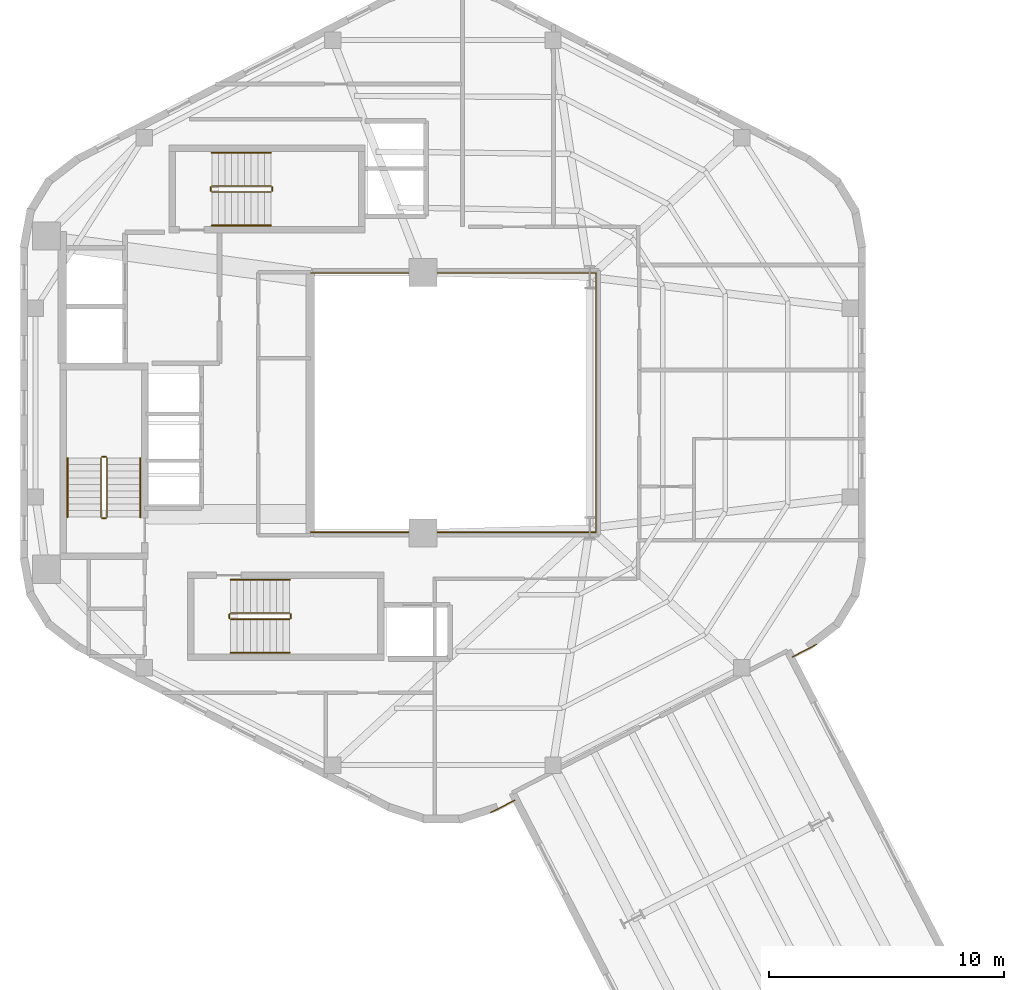
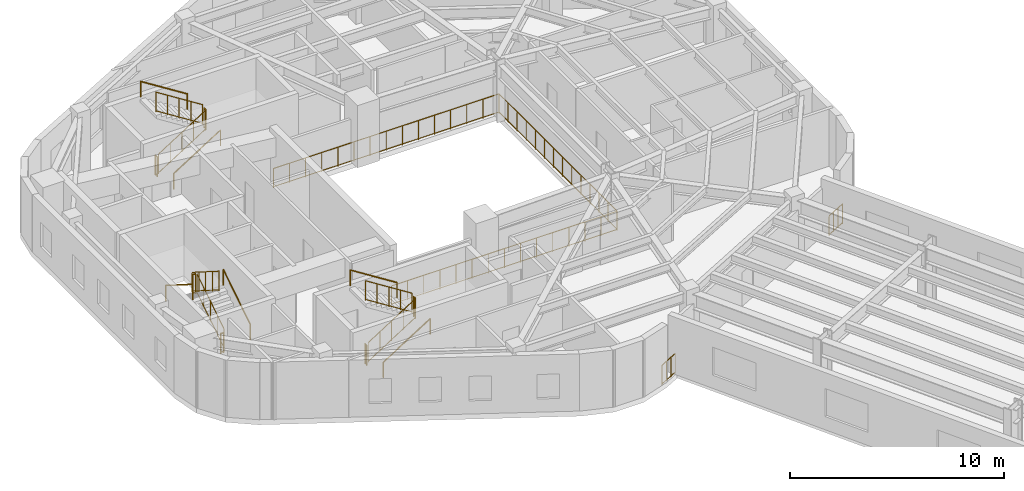
# One storey, part 10 of 10: 21 railings.
"""IFC4 building model written with IfcOpenShell, lengths in metres."""

from ifc_helpers import new_model, si_unit, direction, frame, origin, origin_2d, place, context, subcontext, project, spatial, circle, extrude, material, type_object, element, save


model = new_model("IFC4")

# Units and contexts
model_context = context("Model", 3, precision=1e-05, world=origin(), true_north=direction((0.0, 1.0)))
body_context = subcontext(model_context, "Body", "Model", "MODEL_VIEW")
ifc_project = project(units=[si_unit("LENGTHUNIT", "METRE"), si_unit("AREAUNIT", "SQUARE_METRE"), si_unit("VOLUMEUNIT", "CUBIC_METRE"), si_unit("PLANEANGLEUNIT", "RADIAN"), si_unit("MASSUNIT", "GRAM", prefix="KILO"), si_unit("THERMODYNAMICTEMPERATUREUNIT", "KELVIN"), si_unit("POWERUNIT", "WATT")], contexts=[model_context])

# Site, building, storey
site_placement = place(None, origin())
site = spatial("IfcSite", under=ifc_project, at=site_placement, CompositionType="ELEMENT")
building_placement = place(site_placement, origin())
building = spatial("IfcBuilding", under=site, at=building_placement, Name="Skarre Station Tower", CompositionType="ELEMENT")
storey_placement = place(building_placement, frame((0.0, 0.0, 238.35009765625)))
storey = spatial("IfcBuildingStorey", under=building, at=storey_placement, Name="L65", CompositionType="ELEMENT", Elevation=238.35009765625)

# Railings
ifc_material_1 = material(Name="Bronze Anodized Steel & Laminated Glass Balustrade", Category="steel")
railing_type_1 = type_object("IfcRailingType", Name="Atrium Void & Mezzanine Guard Balustrade 1120", PredefinedType="GUARDRAIL", material=ifc_material_1)
railing_1_placement = place(storey_placement, frame((27.550048828125, 18.47998046875, 0.0)))
element("IfcRailing", 1, at=railing_1_placement, inside=storey, type_object=railing_type_1, Name="L65 Atrium Void Guard Balustrade", PredefinedType="GUARDRAIL", context=body_context, shape_type="SweptSolid", body=[
    extrude(circle(Radius=0.02392578125, at=origin_2d()), frame((0.0, 0.0, 1.09619140625), z_axis=(1.0, 0.0, 0.0), x_axis=(0.0, 1.0, 0.0)), (0.0, 0.0, 1.0), 12.169921875),
    extrude(circle(Radius=0.02099609375, at=origin_2d()), frame((0.0, 0.0, 0.06005859375), z_axis=(1.0, 0.0, 0.0), x_axis=(0.0, 1.0, 0.0)), (0.0, 0.0, 1.0), 12.169921875),
    extrude(circle(Radius=0.02392578125, at=origin_2d()), frame((12.169921875, 0.0, 1.09619140625), z_axis=(0.0, 1.0, 0.0), x_axis=(-1.0, 0.0, 0.0)), (0.0, 0.0, 1.0), 11.0400390625),
    extrude(circle(Radius=0.02099609375, at=origin_2d()), frame((12.169921875, 0.0, 0.06005859375), z_axis=(0.0, 1.0, 0.0), x_axis=(-1.0, 0.0, 0.0)), (0.0, 0.0, 1.0), 11.0400390625),
    extrude(circle(Radius=0.02392578125, at=origin_2d()), frame((12.169921875, 11.0400390625, 1.09619140625), z_axis=(-1.0, 0.0, 0.0), x_axis=(0.0, -1.0, 0.0)), (0.0, 0.0, 1.0), 12.169921875),
    extrude(circle(Radius=0.02099609375, at=origin_2d()), frame((12.169921875, 11.0400390625, 0.06005859375), z_axis=(-1.0, 0.0, 0.0), x_axis=(0.0, -1.0, 0.0)), (0.0, 0.0, 1.0), 12.169921875),
    extrude(circle(Radius=0.02099609375, at=origin_2d()), origin(), (0.0, 0.0, 1.0), 1.072021484375),
    extrude(circle(Radius=0.02099609375, at=origin_2d()), frame((0.869384765625, 0.0, 0.0)), (0.0, 0.0, 1.0), 1.072021484375),
    extrude(circle(Radius=0.02099609375, at=origin_2d()), frame((1.738525390625, 0.0, 0.0)), (0.0, 0.0, 1.0), 1.072021484375),
    extrude(circle(Radius=0.02099609375, at=origin_2d()), frame((2.60791015625, 0.0, 0.0)), (0.0, 0.0, 1.0), 1.072021484375),
    extrude(circle(Radius=0.02099609375, at=origin_2d()), frame((3.47705078125, 0.0, 0.0)), (0.0, 0.0, 1.0), 1.072021484375),
    extrude(circle(Radius=0.02099609375, at=origin_2d()), frame((4.346435546875, 0.0, 0.0)), (0.0, 0.0, 1.0), 1.072021484375),
    extrude(circle(Radius=0.02099609375, at=origin_2d()), frame((5.215576171875, 0.0, 0.0)), (0.0, 0.0, 1.0), 1.072021484375),
    extrude(circle(Radius=0.02099609375, at=origin_2d()), frame((6.0849609375, 0.0, 0.0)), (0.0, 0.0, 1.0), 1.072021484375),
    extrude(circle(Radius=0.02099609375, at=origin_2d()), frame((6.954345703125, 0.0, 0.0)), (0.0, 0.0, 1.0), 1.072021484375),
    extrude(circle(Radius=0.02099609375, at=origin_2d()), frame((7.823486328125, 0.0, 0.0)), (0.0, 0.0, 1.0), 1.072021484375),
    extrude(circle(Radius=0.02099609375, at=origin_2d()), frame((8.69287109375, 0.0, 0.0)), (0.0, 0.0, 1.0), 1.072021484375),
    extrude(circle(Radius=0.02099609375, at=origin_2d()), frame((9.56201171875, 0.0, 0.0)), (0.0, 0.0, 1.0), 1.072021484375),
    extrude(circle(Radius=0.02099609375, at=origin_2d()), frame((10.431396484375, 0.0, 0.0)), (0.0, 0.0, 1.0), 1.072021484375),
    extrude(circle(Radius=0.02099609375, at=origin_2d()), frame((11.300537109375, 0.0, 0.0)), (0.0, 0.0, 1.0), 1.072021484375),
    extrude(circle(Radius=0.02099609375, at=origin_2d()), frame((12.169921875, 0.0, 0.0)), (0.0, 0.0, 1.0), 1.072021484375),
    extrude(circle(Radius=0.02099609375, at=origin_2d()), frame((12.169921875, 0.84912109375, 0.0)), (0.0, 0.0, 1.0), 1.072021484375),
    extrude(circle(Radius=0.02099609375, at=origin_2d()), frame((12.169921875, 1.698486328125, 0.0)), (0.0, 0.0, 1.0), 1.072021484375),
    extrude(circle(Radius=0.02099609375, at=origin_2d()), frame((12.169921875, 2.547607421875, 0.0)), (0.0, 0.0, 1.0), 1.072021484375),
    extrude(circle(Radius=0.02099609375, at=origin_2d()), frame((12.169921875, 3.39697265625, 0.0)), (0.0, 0.0, 1.0), 1.072021484375),
    extrude(circle(Radius=0.02099609375, at=origin_2d()), frame((12.169921875, 4.24609375, 0.0)), (0.0, 0.0, 1.0), 1.072021484375),
    extrude(circle(Radius=0.02099609375, at=origin_2d()), frame((12.169921875, 5.095458984375, 0.0)), (0.0, 0.0, 1.0), 1.072021484375),
    extrude(circle(Radius=0.02099609375, at=origin_2d()), frame((12.169921875, 5.944580078125, 0.0)), (0.0, 0.0, 1.0), 1.072021484375),
    extrude(circle(Radius=0.02099609375, at=origin_2d()), frame((12.169921875, 6.7939453125, 0.0)), (0.0, 0.0, 1.0), 1.072021484375),
    extrude(circle(Radius=0.02099609375, at=origin_2d()), frame((12.169921875, 7.64306640625, 0.0)), (0.0, 0.0, 1.0), 1.072021484375),
    extrude(circle(Radius=0.02099609375, at=origin_2d()), frame((12.169921875, 8.492431640625, 0.0)), (0.0, 0.0, 1.0), 1.072021484375),
    extrude(circle(Radius=0.02099609375, at=origin_2d()), frame((12.169921875, 9.341552734375, 0.0)), (0.0, 0.0, 1.0), 1.072021484375),
    extrude(circle(Radius=0.02099609375, at=origin_2d()), frame((12.169921875, 10.19091796875, 0.0)), (0.0, 0.0, 1.0), 1.072021484375),
    extrude(circle(Radius=0.02099609375, at=origin_2d()), frame((12.169921875, 11.0400390625, 0.0)), (0.0, 0.0, 1.0), 1.072021484375),
    extrude(circle(Radius=0.02099609375, at=origin_2d()), frame((11.300537109375, 11.0400390625, 0.0)), (0.0, 0.0, 1.0), 1.072021484375),
    extrude(circle(Radius=0.02099609375, at=origin_2d()), frame((10.431396484375, 11.0400390625, 0.0)), (0.0, 0.0, 1.0), 1.072021484375),
    extrude(circle(Radius=0.02099609375, at=origin_2d()), frame((9.56201171875, 11.0400390625, 0.0)), (0.0, 0.0, 1.0), 1.072021484375),
    extrude(circle(Radius=0.02099609375, at=origin_2d()), frame((8.69287109375, 11.0400390625, 0.0)), (0.0, 0.0, 1.0), 1.072021484375),
    extrude(circle(Radius=0.02099609375, at=origin_2d()), frame((7.823486328125, 11.0400390625, 0.0)), (0.0, 0.0, 1.0), 1.072021484375),
    extrude(circle(Radius=0.02099609375, at=origin_2d()), frame((6.954345703125, 11.0400390625, 0.0)), (0.0, 0.0, 1.0), 1.072021484375),
    extrude(circle(Radius=0.02099609375, at=origin_2d()), frame((6.0849609375, 11.0400390625, 0.0)), (0.0, 0.0, 1.0), 1.072021484375),
    extrude(circle(Radius=0.02099609375, at=origin_2d()), frame((5.215576171875, 11.0400390625, 0.0)), (0.0, 0.0, 1.0), 1.072021484375),
    extrude(circle(Radius=0.02099609375, at=origin_2d()), frame((4.346435546875, 11.0400390625, 0.0)), (0.0, 0.0, 1.0), 1.072021484375),
    extrude(circle(Radius=0.02099609375, at=origin_2d()), frame((3.47705078125, 11.0400390625, 0.0)), (0.0, 0.0, 1.0), 1.072021484375),
    extrude(circle(Radius=0.02099609375, at=origin_2d()), frame((2.60791015625, 11.0400390625, 0.0)), (0.0, 0.0, 1.0), 1.072021484375),
    extrude(circle(Radius=0.02099609375, at=origin_2d()), frame((1.738525390625, 11.0400390625, 0.0)), (0.0, 0.0, 1.0), 1.072021484375),
    extrude(circle(Radius=0.02099609375, at=origin_2d()), frame((0.869384765625, 11.0400390625, 0.0)), (0.0, 0.0, 1.0), 1.072021484375),
    extrude(circle(Radius=0.02099609375, at=origin_2d()), frame((0.0, 11.0400390625, 0.0)), (0.0, 0.0, 1.0), 1.072021484375),
])
ifc_material_2 = material(Name="Stainless Steel Grade 316L & Laminated Safety Glass", Category="steel")
railing_type_2 = type_object("IfcRailingType", Name="Laminated Glass & Stainless Terrace Guardrail 1150", PredefinedType="BALUSTRADE", material=ifc_material_2)
for number, where, name in (
    (2, (36.260986328125, 7.05908203125, 0.0), "L65 SB-5 Shoulder Ledge Guardrail 1"),
    (3, (49.116943359375, 13.696044921875, 0.0), "L65 SB-5 Shoulder Ledge Guardrail 2"),
):
    element("IfcRailing", number, at=place(storey_placement, frame(where)), inside=storey, type_object=railing_type_2, Name=name, PredefinedType="BALUSTRADE", context=body_context, shape_type="SweptSolid", body=[
        extrude(circle(Radius=0.02392578125, at=origin_2d()), frame((0.0, 0.0, 1.1259765625), z_axis=(-0.888662231041, -0.458562361213, 0.0), x_axis=(0.458562361213, -0.888662231041, 0.0)), (0.0, 0.0, 1.0), 1.157958984375),
        extrude(circle(Radius=0.02099609375, at=origin_2d()), frame((0.0, 0.0, 0.06005859375), z_axis=(-0.888662231041, -0.458562361213, 0.0), x_axis=(0.458562361213, -0.888662231041, 0.0)), (0.0, 0.0, 1.0), 1.157958984375),
        extrude(circle(Radius=0.02099609375, at=origin_2d()), origin(), (0.0, 0.0, 1.0), 1.101806640625),
        extrude(circle(Radius=0.02099609375, at=origin_2d()), frame((-0.343017578125, -0.177001953125, 0.0)), (0.0, 0.0, 1.0), 1.101806640625),
        extrude(circle(Radius=0.02099609375, at=origin_2d()), frame((-0.68603515625, -0.35400390625, 0.0)), (0.0, 0.0, 1.0), 1.101806640625),
        extrude(circle(Radius=0.02099609375, at=origin_2d()), frame((-1.029052734375, -0.531005859375, 0.0)), (0.0, 0.0, 1.0), 1.101806640625),
    ])
ifc_material_3 = material(Name="Powder-Coated Tubular Steel", Category="steel")
railing_type_3 = type_object("IfcRailingType", Name="Painted Steel Ramp & Stair Handrail 920", PredefinedType="HANDRAIL", material=ifc_material_3)
railing_2_placement = place(storey_placement, frame((20.300048828125, 19.1201171875, 0.177490234375)))
element("IfcRailing", 4, at=railing_2_placement, inside=storey, type_object=railing_type_3, Name="L65 ST-1 stair handrail 1", PredefinedType="HANDRAIL", context=body_context, shape_type="SweptSolid", body=[
    extrude(circle(Radius=0.02392578125, at=origin_2d()), frame((0.0, 0.0, 0.8759765625), z_axis=(0.0, 0.844583492756, 0.535423872987), x_axis=(-1.0, 0.0, 0.0)), (0.0, 0.0, 1.0), 2.9833984375),
    extrude(circle(Radius=0.02099609375, at=origin_2d()), origin(), (0.0, 0.0, 1.0), 0.851806640625),
    extrude(circle(Radius=0.02099609375, at=origin_2d()), frame((0.0, 2.519775390625, 1.597412109375)), (0.0, 0.0, 1.0), 0.851806640625),
])
railing_3_placement = place(storey_placement, frame((17.199951171875, 21.639892578125, 1.952392578125)))
element("IfcRailing", 5, at=railing_3_placement, inside=storey, type_object=railing_type_3, Name="L65 ST-1 stair handrail 2", PredefinedType="HANDRAIL", context=body_context, shape_type="SweptSolid", body=[
    extrude(circle(Radius=0.02392578125, at=origin_2d()), frame((0.0, 0.0, 0.8759765625), z_axis=(0.0, -0.844583492756, 0.535423872987), x_axis=(1.0, 0.0, 0.0)), (0.0, 0.0, 1.0), 2.9833984375),
    extrude(circle(Radius=0.02099609375, at=origin_2d()), origin(), (0.0, 0.0, 1.0), 0.851806640625),
    extrude(circle(Radius=0.02099609375, at=origin_2d()), frame((0.0, -2.519775390625, 1.597412109375)), (0.0, 0.0, 1.0), 0.851806640625),
])
railing_4_placement = place(storey_placement, frame((24.14990234375, 13.35009765625, 0.177490234375)))
element("IfcRailing", 6, at=railing_4_placement, inside=storey, type_object=railing_type_3, Name="L65 ST-2 stair handrail 1", PredefinedType="HANDRAIL", context=body_context, shape_type="SweptSolid", body=[
    extrude(circle(Radius=0.02392578125, at=origin_2d()), frame((0.0, 0.0, 0.8759765625), z_axis=(0.84460694969, 0.0, 0.535386869969), x_axis=(0.0, 1.0, 0.0)), (0.0, 0.0, 1.0), 2.983642578125),
    extrude(circle(Radius=0.02099609375, at=origin_2d()), origin(), (0.0, 0.0, 1.0), 0.851806640625),
    extrude(circle(Radius=0.02099609375, at=origin_2d()), frame((2.52001953125, 0.0, 1.597412109375)), (0.0, 0.0, 1.0), 0.851806640625),
])
railing_5_placement = place(storey_placement, frame((26.669921875, 16.449951171875, 1.952392578125)))
element("IfcRailing", 7, at=railing_5_placement, inside=storey, type_object=railing_type_3, Name="L65 ST-2 stair handrail 2", PredefinedType="HANDRAIL", context=body_context, shape_type="SweptSolid", body=[
    extrude(circle(Radius=0.02392578125, at=origin_2d()), frame((0.0, 0.0, 0.8759765625), z_axis=(-0.84460694969, 0.0, 0.535386869969), x_axis=(0.0, -1.0, 0.0)), (0.0, 0.0, 1.0), 2.983642578125),
    extrude(circle(Radius=0.02099609375, at=origin_2d()), origin(), (0.0, 0.0, 1.0), 0.851806640625),
    extrude(circle(Radius=0.02099609375, at=origin_2d()), frame((-2.52001953125, 0.0, 1.597412109375)), (0.0, 0.0, 1.0), 0.851806640625),
])
railing_6_placement = place(storey_placement, frame((23.35009765625, 31.550048828125, 0.177490234375)))
element("IfcRailing", 8, at=railing_6_placement, inside=storey, type_object=railing_type_3, Name="L65 ST-3 stair handrail 1", PredefinedType="HANDRAIL", context=body_context, shape_type="SweptSolid", body=[
    extrude(circle(Radius=0.02392578125, at=origin_2d()), frame((0.0, 0.0, 0.8759765625), z_axis=(0.84460694969, 0.0, 0.535386869969), x_axis=(0.0, 1.0, 0.0)), (0.0, 0.0, 1.0), 2.983642578125),
    extrude(circle(Radius=0.02099609375, at=origin_2d()), origin(), (0.0, 0.0, 1.0), 0.851806640625),
    extrude(circle(Radius=0.02099609375, at=origin_2d()), frame((2.52001953125, 0.0, 1.597412109375)), (0.0, 0.0, 1.0), 0.851806640625),
])
railing_7_placement = place(storey_placement, frame((25.8701171875, 34.64990234375, 1.952392578125)))
element("IfcRailing", 9, at=railing_7_placement, inside=storey, type_object=railing_type_3, Name="L65 ST-3 stair handrail 2", PredefinedType="HANDRAIL", context=body_context, shape_type="SweptSolid", body=[
    extrude(circle(Radius=0.02392578125, at=origin_2d()), frame((0.0, 0.0, 0.8759765625), z_axis=(-0.84460694969, 0.0, 0.535386869969), x_axis=(0.0, -1.0, 0.0)), (0.0, 0.0, 1.0), 2.983642578125),
    extrude(circle(Radius=0.02099609375, at=origin_2d()), origin(), (0.0, 0.0, 1.0), 0.851806640625),
    extrude(circle(Radius=0.02099609375, at=origin_2d()), frame((-2.52001953125, 0.0, 1.597412109375)), (0.0, 0.0, 1.0), 0.851806640625),
])
railing_type_4 = type_object("IfcRailingType", Name="Painted Steel Stairwell Guardrail 1100", PredefinedType="GUARDRAIL", material=ifc_material_3)
railing_8_placement = place(storey_placement, frame((18.8798828125, 19.1201171875, 0.177490234375)))
element("IfcRailing", 10, at=railing_8_placement, inside=storey, type_object=railing_type_4, Name="L65 ST-1 stair guard 1", PredefinedType="GUARDRAIL", context=body_context, shape_type="SweptSolid", body=[
    extrude(circle(Radius=0.02392578125, at=origin_2d()), frame((0.0, 0.0, 1.1259765625), z_axis=(0.0, 0.844583492756, 0.535423872987), x_axis=(-1.0, 0.0, 0.0)), (0.0, 0.0, 1.0), 2.9833984375),
    extrude(circle(Radius=0.02099609375, at=origin_2d()), frame((0.0, 0.0, 0.06005859375), z_axis=(0.0, 0.844583492756, 0.535423872987), x_axis=(-1.0, 0.0, 0.0)), (0.0, 0.0, 1.0), 2.9833984375),
    extrude(circle(Radius=0.02099609375, at=origin_2d()), origin(), (0.0, 0.0, 1.0), 1.101806640625),
    extrude(circle(Radius=0.02099609375, at=origin_2d()), frame((0.0, 0.6298828125, 0.3994140625)), (0.0, 0.0, 1.0), 1.101806640625),
    extrude(circle(Radius=0.02099609375, at=origin_2d()), frame((0.0, 1.259765625, 0.798828125)), (0.0, 0.0, 1.0), 1.101806640625),
    extrude(circle(Radius=0.02099609375, at=origin_2d()), frame((0.0, 1.889892578125, 1.197998046875)), (0.0, 0.0, 1.0), 1.101806640625),
    extrude(circle(Radius=0.02099609375, at=origin_2d()), frame((0.0, 2.519775390625, 1.597412109375)), (0.0, 0.0, 1.0), 1.101806640625),
])
railing_9_placement = place(storey_placement, frame((18.830078125, 21.68994140625, 1.77490234375)))
element("IfcRailing", 11, at=railing_9_placement, inside=storey, type_object=railing_type_4, Name="L65 ST-1 stair guard 2", PredefinedType="GUARDRAIL", context=body_context, shape_type="SweptSolid", body=[
    extrude(circle(Radius=0.02392578125, at=origin_2d()), frame((0.0, 0.0, 1.1259765625), z_axis=(-1.0, 0.0, 0.0), x_axis=(0.0, -1.0, 0.0)), (0.0, 0.0, 1.0), 0.16015625),
    extrude(circle(Radius=0.02099609375, at=origin_2d()), frame((0.0, 0.0, 0.06005859375), z_axis=(-1.0, 0.0, 0.0), x_axis=(0.0, -1.0, 0.0)), (0.0, 0.0, 1.0), 0.16015625),
    extrude(circle(Radius=0.02099609375, at=origin_2d()), origin(), (0.0, 0.0, 1.0), 1.101806640625),
    extrude(circle(Radius=0.02099609375, at=origin_2d()), frame((-0.16015625, 0.0, 0.0)), (0.0, 0.0, 1.0), 1.101806640625),
])
railing_10_placement = place(storey_placement, frame((18.6201171875, 21.639892578125, 1.952392578125)))
element("IfcRailing", 12, at=railing_10_placement, inside=storey, type_object=railing_type_4, Name="L65 ST-1 stair guard 3", PredefinedType="GUARDRAIL", context=body_context, shape_type="SweptSolid", body=[
    extrude(circle(Radius=0.02392578125, at=origin_2d()), frame((0.0, 0.0, 1.1259765625), z_axis=(0.0, -0.844583492756, 0.535423872987), x_axis=(1.0, 0.0, 0.0)), (0.0, 0.0, 1.0), 2.9833984375),
    extrude(circle(Radius=0.02099609375, at=origin_2d()), frame((0.0, 0.0, 0.06005859375), z_axis=(0.0, -0.844583492756, 0.535423872987), x_axis=(1.0, 0.0, 0.0)), (0.0, 0.0, 1.0), 2.9833984375),
    extrude(circle(Radius=0.02099609375, at=origin_2d()), origin(), (0.0, 0.0, 1.0), 1.101806640625),
    extrude(circle(Radius=0.02099609375, at=origin_2d()), frame((0.0, -0.6298828125, 0.3994140625)), (0.0, 0.0, 1.0), 1.101806640625),
    extrude(circle(Radius=0.02099609375, at=origin_2d()), frame((0.0, -1.259765625, 0.798828125)), (0.0, 0.0, 1.0), 1.101806640625),
    extrude(circle(Radius=0.02099609375, at=origin_2d()), frame((0.0, -1.889892578125, 1.197998046875)), (0.0, 0.0, 1.0), 1.101806640625),
    extrude(circle(Radius=0.02099609375, at=origin_2d()), frame((0.0, -2.519775390625, 1.597412109375)), (0.0, 0.0, 1.0), 1.101806640625),
])
railing_11_placement = place(storey_placement, frame((18.830078125, 19.070068359375, 0.0)))
element("IfcRailing", 13, at=railing_11_placement, inside=storey, type_object=railing_type_4, Name="L65 ST-1 stair guard 4", PredefinedType="GUARDRAIL", context=body_context, shape_type="SweptSolid", body=[
    extrude(circle(Radius=0.02392578125, at=origin_2d()), frame((0.0, 0.0, 1.1259765625), z_axis=(-1.0, 0.0, 0.0), x_axis=(0.0, -1.0, 0.0)), (0.0, 0.0, 1.0), 0.16015625),
    extrude(circle(Radius=0.02099609375, at=origin_2d()), frame((0.0, 0.0, 0.06005859375), z_axis=(-1.0, 0.0, 0.0), x_axis=(0.0, -1.0, 0.0)), (0.0, 0.0, 1.0), 0.16015625),
    extrude(circle(Radius=0.02099609375, at=origin_2d()), origin(), (0.0, 0.0, 1.0), 1.101806640625),
    extrude(circle(Radius=0.02099609375, at=origin_2d()), frame((-0.16015625, 0.0, 0.0)), (0.0, 0.0, 1.0), 1.101806640625),
])
railing_12_placement = place(storey_placement, frame((24.14990234375, 14.77001953125, 0.177490234375)))
element("IfcRailing", 14, at=railing_12_placement, inside=storey, type_object=railing_type_4, Name="L65 ST-2 stair guard 1", PredefinedType="GUARDRAIL", context=body_context, shape_type="SweptSolid", body=[
    extrude(circle(Radius=0.02392578125, at=origin_2d()), frame((0.0, 0.0, 1.1259765625), z_axis=(0.84460694969, 0.0, 0.535386869969), x_axis=(0.0, 1.0, 0.0)), (0.0, 0.0, 1.0), 2.983642578125),
    extrude(circle(Radius=0.02099609375, at=origin_2d()), frame((0.0, 0.0, 0.06005859375), z_axis=(0.84460694969, 0.0, 0.535386869969), x_axis=(0.0, 1.0, 0.0)), (0.0, 0.0, 1.0), 2.983642578125),
    extrude(circle(Radius=0.02099609375, at=origin_2d()), origin(), (0.0, 0.0, 1.0), 1.101806640625),
    extrude(circle(Radius=0.02099609375, at=origin_2d()), frame((0.6298828125, 0.0, 0.3994140625)), (0.0, 0.0, 1.0), 1.101806640625),
    extrude(circle(Radius=0.02099609375, at=origin_2d()), frame((1.260009765625, 0.0, 0.798828125)), (0.0, 0.0, 1.0), 1.101806640625),
    extrude(circle(Radius=0.02099609375, at=origin_2d()), frame((1.89013671875, 0.0, 1.197998046875)), (0.0, 0.0, 1.0), 1.101806640625),
    extrude(circle(Radius=0.02099609375, at=origin_2d()), frame((2.52001953125, 0.0, 1.597412109375)), (0.0, 0.0, 1.0), 1.101806640625),
])
railing_13_placement = place(storey_placement, frame((26.719970703125, 14.820068359375, 1.77490234375)))
element("IfcRailing", 15, at=railing_13_placement, inside=storey, type_object=railing_type_4, Name="L65 ST-2 stair guard 2", PredefinedType="GUARDRAIL", context=body_context, shape_type="SweptSolid", body=[
    extrude(circle(Radius=0.02392578125, at=origin_2d()), frame((0.0, 0.0, 1.1259765625), z_axis=(0.0, 1.0, 0.0), x_axis=(-1.0, 0.0, 0.0)), (0.0, 0.0, 1.0), 0.159912109375),
    extrude(circle(Radius=0.02099609375, at=origin_2d()), frame((0.0, 0.0, 0.06005859375), z_axis=(0.0, 1.0, 0.0), x_axis=(-1.0, 0.0, 0.0)), (0.0, 0.0, 1.0), 0.159912109375),
    extrude(circle(Radius=0.02099609375, at=origin_2d()), origin(), (0.0, 0.0, 1.0), 1.101806640625),
    extrude(circle(Radius=0.02099609375, at=origin_2d()), frame((0.0, 0.159912109375, 0.0)), (0.0, 0.0, 1.0), 1.101806640625),
])
railing_14_placement = place(storey_placement, frame((26.669921875, 15.030029296875, 1.952392578125)))
element("IfcRailing", 16, at=railing_14_placement, inside=storey, type_object=railing_type_4, Name="L65 ST-2 stair guard 3", PredefinedType="GUARDRAIL", context=body_context, shape_type="SweptSolid", body=[
    extrude(circle(Radius=0.02392578125, at=origin_2d()), frame((0.0, 0.0, 1.1259765625), z_axis=(-0.84460694969, 0.0, 0.535386869969), x_axis=(0.0, -1.0, 0.0)), (0.0, 0.0, 1.0), 2.983642578125),
    extrude(circle(Radius=0.02099609375, at=origin_2d()), frame((0.0, 0.0, 0.06005859375), z_axis=(-0.84460694969, 0.0, 0.535386869969), x_axis=(0.0, -1.0, 0.0)), (0.0, 0.0, 1.0), 2.983642578125),
    extrude(circle(Radius=0.02099609375, at=origin_2d()), origin(), (0.0, 0.0, 1.0), 1.101806640625),
    extrude(circle(Radius=0.02099609375, at=origin_2d()), frame((-0.6298828125, 0.0, 0.3994140625)), (0.0, 0.0, 1.0), 1.101806640625),
    extrude(circle(Radius=0.02099609375, at=origin_2d()), frame((-1.260009765625, 0.0, 0.798828125)), (0.0, 0.0, 1.0), 1.101806640625),
    extrude(circle(Radius=0.02099609375, at=origin_2d()), frame((-1.89013671875, 0.0, 1.197998046875)), (0.0, 0.0, 1.0), 1.101806640625),
    extrude(circle(Radius=0.02099609375, at=origin_2d()), frame((-2.52001953125, 0.0, 1.597412109375)), (0.0, 0.0, 1.0), 1.101806640625),
])
railing_15_placement = place(storey_placement, frame((24.10009765625, 14.820068359375, 0.0)))
element("IfcRailing", 17, at=railing_15_placement, inside=storey, type_object=railing_type_4, Name="L65 ST-2 stair guard 4", PredefinedType="GUARDRAIL", context=body_context, shape_type="SweptSolid", body=[
    extrude(circle(Radius=0.02392578125, at=origin_2d()), frame((0.0, 0.0, 1.1259765625), z_axis=(0.0, 1.0, 0.0), x_axis=(-1.0, 0.0, 0.0)), (0.0, 0.0, 1.0), 0.159912109375),
    extrude(circle(Radius=0.02099609375, at=origin_2d()), frame((0.0, 0.0, 0.06005859375), z_axis=(0.0, 1.0, 0.0), x_axis=(-1.0, 0.0, 0.0)), (0.0, 0.0, 1.0), 0.159912109375),
    extrude(circle(Radius=0.02099609375, at=origin_2d()), origin(), (0.0, 0.0, 1.0), 1.101806640625),
    extrude(circle(Radius=0.02099609375, at=origin_2d()), frame((0.0, 0.159912109375, 0.0)), (0.0, 0.0, 1.0), 1.101806640625),
])
railing_16_placement = place(storey_placement, frame((23.35009765625, 32.969970703125, 0.177490234375)))
element("IfcRailing", 18, at=railing_16_placement, inside=storey, type_object=railing_type_4, Name="L65 ST-3 stair guard 1", PredefinedType="GUARDRAIL", context=body_context, shape_type="SweptSolid", body=[
    extrude(circle(Radius=0.02392578125, at=origin_2d()), frame((0.0, 0.0, 1.1259765625), z_axis=(0.84460694969, 0.0, 0.535386869969), x_axis=(0.0, 1.0, 0.0)), (0.0, 0.0, 1.0), 2.983642578125),
    extrude(circle(Radius=0.02099609375, at=origin_2d()), frame((0.0, 0.0, 0.06005859375), z_axis=(0.84460694969, 0.0, 0.535386869969), x_axis=(0.0, 1.0, 0.0)), (0.0, 0.0, 1.0), 2.983642578125),
    extrude(circle(Radius=0.02099609375, at=origin_2d()), origin(), (0.0, 0.0, 1.0), 1.101806640625),
    extrude(circle(Radius=0.02099609375, at=origin_2d()), frame((0.6298828125, 0.0, 0.3994140625)), (0.0, 0.0, 1.0), 1.101806640625),
    extrude(circle(Radius=0.02099609375, at=origin_2d()), frame((1.260009765625, 0.0, 0.798828125)), (0.0, 0.0, 1.0), 1.101806640625),
    extrude(circle(Radius=0.02099609375, at=origin_2d()), frame((1.89013671875, 0.0, 1.197998046875)), (0.0, 0.0, 1.0), 1.101806640625),
    extrude(circle(Radius=0.02099609375, at=origin_2d()), frame((2.52001953125, 0.0, 1.597412109375)), (0.0, 0.0, 1.0), 1.101806640625),
])
railing_17_placement = place(storey_placement, frame((25.919921875, 33.02001953125, 1.77490234375)))
element("IfcRailing", 19, at=railing_17_placement, inside=storey, type_object=railing_type_4, Name="L65 ST-3 stair guard 2", PredefinedType="GUARDRAIL", context=body_context, shape_type="SweptSolid", body=[
    extrude(circle(Radius=0.02392578125, at=origin_2d()), frame((0.0, 0.0, 1.1259765625), z_axis=(0.0, 1.0, 0.0), x_axis=(-1.0, 0.0, 0.0)), (0.0, 0.0, 1.0), 0.159912109375),
    extrude(circle(Radius=0.02099609375, at=origin_2d()), frame((0.0, 0.0, 0.06005859375), z_axis=(0.0, 1.0, 0.0), x_axis=(-1.0, 0.0, 0.0)), (0.0, 0.0, 1.0), 0.159912109375),
    extrude(circle(Radius=0.02099609375, at=origin_2d()), origin(), (0.0, 0.0, 1.0), 1.101806640625),
    extrude(circle(Radius=0.02099609375, at=origin_2d()), frame((0.0, 0.159912109375, 0.0)), (0.0, 0.0, 1.0), 1.101806640625),
])
railing_18_placement = place(storey_placement, frame((25.8701171875, 33.22998046875, 1.952392578125)))
element("IfcRailing", 20, at=railing_18_placement, inside=storey, type_object=railing_type_4, Name="L65 ST-3 stair guard 3", PredefinedType="GUARDRAIL", context=body_context, shape_type="SweptSolid", body=[
    extrude(circle(Radius=0.02392578125, at=origin_2d()), frame((0.0, 0.0, 1.1259765625), z_axis=(-0.84460694969, 0.0, 0.535386869969), x_axis=(0.0, -1.0, 0.0)), (0.0, 0.0, 1.0), 2.983642578125),
    extrude(circle(Radius=0.02099609375, at=origin_2d()), frame((0.0, 0.0, 0.06005859375), z_axis=(-0.84460694969, 0.0, 0.535386869969), x_axis=(0.0, -1.0, 0.0)), (0.0, 0.0, 1.0), 2.983642578125),
    extrude(circle(Radius=0.02099609375, at=origin_2d()), origin(), (0.0, 0.0, 1.0), 1.101806640625),
    extrude(circle(Radius=0.02099609375, at=origin_2d()), frame((-0.6298828125, 0.0, 0.3994140625)), (0.0, 0.0, 1.0), 1.101806640625),
    extrude(circle(Radius=0.02099609375, at=origin_2d()), frame((-1.260009765625, 0.0, 0.798828125)), (0.0, 0.0, 1.0), 1.101806640625),
    extrude(circle(Radius=0.02099609375, at=origin_2d()), frame((-1.89013671875, 0.0, 1.197998046875)), (0.0, 0.0, 1.0), 1.101806640625),
    extrude(circle(Radius=0.02099609375, at=origin_2d()), frame((-2.52001953125, 0.0, 1.597412109375)), (0.0, 0.0, 1.0), 1.101806640625),
])
railing_19_placement = place(storey_placement, frame((23.300048828125, 33.02001953125, 0.0)))
element("IfcRailing", 21, at=railing_19_placement, inside=storey, type_object=railing_type_4, Name="L65 ST-3 stair guard 4", PredefinedType="GUARDRAIL", context=body_context, shape_type="SweptSolid", body=[
    extrude(circle(Radius=0.02392578125, at=origin_2d()), frame((0.0, 0.0, 1.1259765625), z_axis=(0.0, 1.0, 0.0), x_axis=(-1.0, 0.0, 0.0)), (0.0, 0.0, 1.0), 0.159912109375),
    extrude(circle(Radius=0.02099609375, at=origin_2d()), frame((0.0, 0.0, 0.06005859375), z_axis=(0.0, 1.0, 0.0), x_axis=(-1.0, 0.0, 0.0)), (0.0, 0.0, 1.0), 0.159912109375),
    extrude(circle(Radius=0.02099609375, at=origin_2d()), origin(), (0.0, 0.0, 1.0), 1.101806640625),
    extrude(circle(Radius=0.02099609375, at=origin_2d()), frame((0.0, 0.159912109375, 0.0)), (0.0, 0.0, 1.0), 1.101806640625),
])

save(model, "model.ifc")
